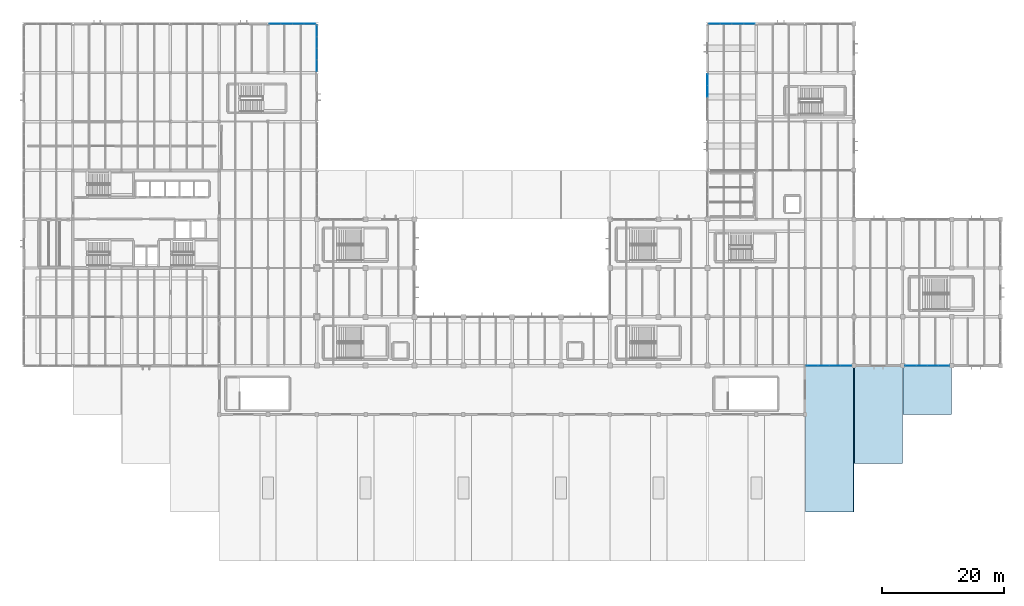
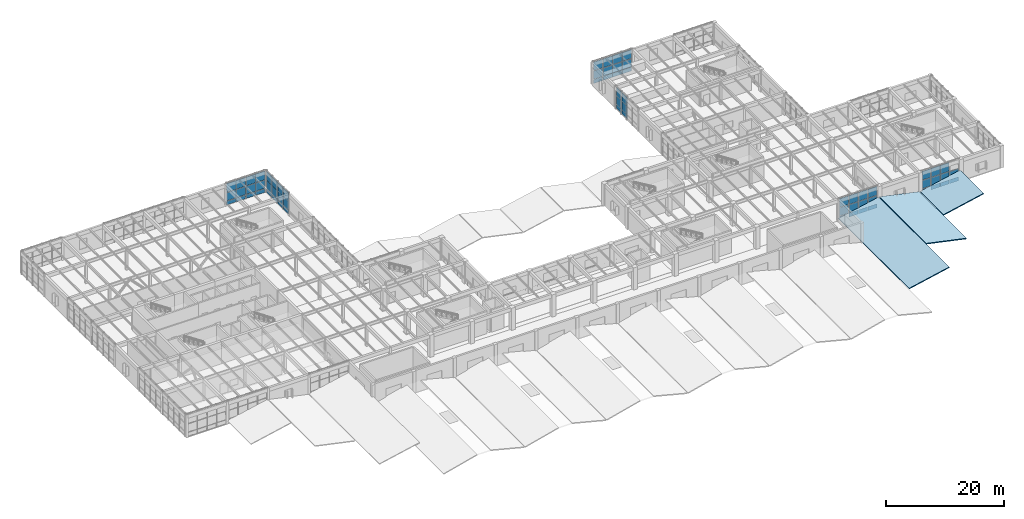
# One storey, part 37 of 60: 65 plates, 3 slabs, 6 elements without a shape of their own.
"""IFC4 building model written with IfcOpenShell, lengths in metres."""

from ifc_helpers import new_model, si_unit, direction, frame, origin, origin_2d, place, context, subcontext, project, spatial, polyline, rectangle, outline, extrude, material, layer, layer_set, type_object, element, aggregate, save


model = new_model("IFC4")

# Units and contexts
model_context = context("Model", 3, precision=1e-05, world=origin(), true_north=direction((0.0, 1.0)))
body_context = subcontext(model_context, "Body", "Model", "MODEL_VIEW")
ifc_project = project(units=[si_unit("LENGTHUNIT", "METRE"), si_unit("AREAUNIT", "SQUARE_METRE"), si_unit("VOLUMEUNIT", "CUBIC_METRE"), si_unit("PLANEANGLEUNIT", "RADIAN"), si_unit("MASSUNIT", "GRAM", prefix="KILO")], contexts=[model_context])

# Site, building, storey
site_placement = place(None, origin())
site = spatial("IfcSite", under=ifc_project, at=site_placement, CompositionType="ELEMENT")
building_placement = place(site_placement, origin())
building = spatial("IfcBuilding", under=site, at=building_placement, Name="Varnela Railside Interchange", CompositionType="ELEMENT")
storey_placement = place(building_placement, frame((0.0, 0.0, 6.300048828125)))
storey = spatial("IfcBuildingStorey", under=building, at=storey_placement, Name="L01", CompositionType="ELEMENT", Elevation=6.300048828125)

# Curtain wall, plates
ifc_material_1 = material(Name="Aluminium 6063-T6", Category="aluminium")
ifc_layer_1 = layer(ifc_material_1, 0.035888671875)
ifc_layer_set_1 = layer_set([ifc_layer_1], Name="Aluminium 6063-T6")
curtain_wall_type_1 = type_object("IfcCurtainWallType", Name="Operations Wing Facade Curtain Wall CW-03", PredefinedType="USERDEFINED", material=ifc_layer_set_1)
curtain_wall_1_placement = place(storey_placement, origin())
curtain_wall_1 = element("IfcCurtainWall", 1, at=curtain_wall_1_placement, inside=storey, type_object=curtain_wall_type_1, Name="Curtain Wall CW-03 (L01) (CW-022)", ObjectType="CURTAIN WALL", PredefinedType="USERDEFINED")
ifc_material_2 = material(Name="Glass laminated double", Category="glass")
ifc_layer_2 = layer(ifc_material_2, 0.0400390625)
ifc_layer_set_2 = layer_set([ifc_layer_2], Name="Glass laminated double")
plate_type_1 = type_object("IfcPlateType", Name="Acoustic Laminated Vision GL-03", PredefinedType="CURTAIN_PANEL", material=ifc_layer_set_2)
plate_1_placement = place(storey_placement, frame((45.164306640625, 94.0, 0.059814453125), z_axis=(0.0, 0.0, 1.0), x_axis=(1.0, 0.0, 0.0)))
plate_1 = element("IfcPlate", 2, at=plate_1_placement, type_object=plate_type_1, Name="CW-03 panel 1.1", PredefinedType="CURTAIN_PANEL", context=body_context, shape_type="SweptSolid", body=[
    extrude(rectangle(XDim=1.810546875, YDim=0.0400390625, at=origin_2d()), origin(), (0.0, 0.0, 1.0), 0.81005859375),
])
plate_2_placement = place(storey_placement, frame((45.164306640625, 94.0, 0.929931640625), z_axis=(0.0, 0.0, 1.0), x_axis=(1.0, 0.0, 0.0)))
plate_2 = element("IfcPlate", 3, at=plate_2_placement, type_object=plate_type_1, Name="CW-03 panel 1.2", PredefinedType="CURTAIN_PANEL", context=body_context, shape_type="SweptSolid", body=[
    extrude(rectangle(XDim=1.810546875, YDim=0.0400390625, at=origin_2d()), origin(), (0.0, 0.0, 1.0), 1.7080078125),
])
plate_3_placement = place(storey_placement, frame((45.164306640625, 94.0, 2.69775390625), z_axis=(0.0, 0.0, 1.0), x_axis=(1.0, 0.0, 0.0)))
plate_3 = element("IfcPlate", 4, at=plate_3_placement, type_object=plate_type_1, Name="CW-03 panel 1.3", PredefinedType="CURTAIN_PANEL", context=body_context, shape_type="SweptSolid", body=[
    extrude(rectangle(XDim=1.810546875, YDim=0.0400390625, at=origin_2d()), origin(), (0.0, 0.0, 1.0), 1.842041015625),
])
plate_4_placement = place(storey_placement, frame((47.0498046875, 94.0, 0.059814453125), z_axis=(0.0, 0.0, 1.0), x_axis=(1.0, 0.0, 0.0)))
plate_4 = element("IfcPlate", 5, at=plate_4_placement, type_object=plate_type_1, Name="CW-03 panel 2.1", PredefinedType="CURTAIN_PANEL", context=body_context, shape_type="SweptSolid", body=[
    extrude(rectangle(XDim=1.840576171875, YDim=0.0400390625, at=origin_2d()), origin(), (0.0, 0.0, 1.0), 0.81005859375),
])
plate_5_placement = place(storey_placement, frame((47.0498046875, 94.0, 0.929931640625), z_axis=(0.0, 0.0, 1.0), x_axis=(1.0, 0.0, 0.0)))
plate_5 = element("IfcPlate", 6, at=plate_5_placement, type_object=plate_type_1, Name="CW-03 panel 2.2", PredefinedType="CURTAIN_PANEL", context=body_context, shape_type="SweptSolid", body=[
    extrude(rectangle(XDim=1.840576171875, YDim=0.0400390625, at=origin_2d()), origin(), (0.0, 0.0, 1.0), 1.7080078125),
])
plate_6_placement = place(storey_placement, frame((47.0498046875, 94.0, 2.69775390625), z_axis=(0.0, 0.0, 1.0), x_axis=(1.0, 0.0, 0.0)))
plate_6 = element("IfcPlate", 7, at=plate_6_placement, type_object=plate_type_1, Name="CW-03 panel 2.3", PredefinedType="CURTAIN_PANEL", context=body_context, shape_type="SweptSolid", body=[
    extrude(rectangle(XDim=1.840576171875, YDim=0.0400390625, at=origin_2d()), origin(), (0.0, 0.0, 1.0), 1.842041015625),
])
plate_7_placement = place(storey_placement, frame((48.9501953125, 94.0, 0.059814453125), z_axis=(0.0, 0.0, 1.0), x_axis=(1.0, 0.0, 0.0)))
plate_7 = element("IfcPlate", 8, at=plate_7_placement, type_object=plate_type_1, Name="CW-03 panel 3.1", PredefinedType="CURTAIN_PANEL", context=body_context, shape_type="SweptSolid", body=[
    extrude(rectangle(XDim=1.840576171875, YDim=0.0400390625, at=origin_2d()), origin(), (0.0, 0.0, 1.0), 0.81005859375),
])
plate_8_placement = place(storey_placement, frame((48.9501953125, 94.0, 0.929931640625), z_axis=(0.0, 0.0, 1.0), x_axis=(1.0, 0.0, 0.0)))
plate_8 = element("IfcPlate", 9, at=plate_8_placement, type_object=plate_type_1, Name="CW-03 panel 3.2", PredefinedType="CURTAIN_PANEL", context=body_context, shape_type="SweptSolid", body=[
    extrude(rectangle(XDim=1.840576171875, YDim=0.0400390625, at=origin_2d()), origin(), (0.0, 0.0, 1.0), 1.7080078125),
])
plate_9_placement = place(storey_placement, frame((48.9501953125, 94.0, 2.69775390625), z_axis=(0.0, 0.0, 1.0), x_axis=(1.0, 0.0, 0.0)))
plate_9 = element("IfcPlate", 10, at=plate_9_placement, type_object=plate_type_1, Name="CW-03 panel 3.3", PredefinedType="CURTAIN_PANEL", context=body_context, shape_type="SweptSolid", body=[
    extrude(rectangle(XDim=1.840576171875, YDim=0.0400390625, at=origin_2d()), origin(), (0.0, 0.0, 1.0), 1.842041015625),
])
plate_10_placement = place(storey_placement, frame((50.835693359375, 94.0, 0.059814453125), z_axis=(0.0, 0.0, 1.0), x_axis=(1.0, 0.0, 0.0)))
plate_10 = element("IfcPlate", 11, at=plate_10_placement, type_object=plate_type_1, Name="CW-03 panel 4.1", PredefinedType="CURTAIN_PANEL", context=body_context, shape_type="SweptSolid", body=[
    extrude(rectangle(XDim=1.810546875, YDim=0.0400390625, at=origin_2d()), origin(), (0.0, 0.0, 1.0), 0.81005859375),
])
plate_11_placement = place(storey_placement, frame((50.835693359375, 94.0, 0.929931640625), z_axis=(0.0, 0.0, 1.0), x_axis=(1.0, 0.0, 0.0)))
plate_11 = element("IfcPlate", 12, at=plate_11_placement, type_object=plate_type_1, Name="CW-03 panel 4.2", PredefinedType="CURTAIN_PANEL", context=body_context, shape_type="SweptSolid", body=[
    extrude(rectangle(XDim=1.810546875, YDim=0.0400390625, at=origin_2d()), origin(), (0.0, 0.0, 1.0), 1.7080078125),
])
plate_12_placement = place(storey_placement, frame((50.835693359375, 94.0, 2.69775390625), z_axis=(0.0, 0.0, 1.0), x_axis=(1.0, 0.0, 0.0)))
plate_12 = element("IfcPlate", 13, at=plate_12_placement, type_object=plate_type_1, Name="CW-03 panel 4.3", PredefinedType="CURTAIN_PANEL", context=body_context, shape_type="SweptSolid", body=[
    extrude(rectangle(XDim=1.810546875, YDim=0.0400390625, at=origin_2d()), origin(), (0.0, 0.0, 1.0), 1.842041015625),
])
aggregate(curtain_wall_1, [plate_1, plate_2, plate_3, plate_4, plate_5, plate_6, plate_7, plate_8, plate_9, plate_10, plate_11, plate_12])

curtain_wall_2_placement = place(storey_placement, origin())
curtain_wall_2 = element("IfcCurtainWall", 14, at=curtain_wall_2_placement, inside=storey, type_object=curtain_wall_type_1, Name="Curtain Wall CW-03 (L01) (CW-023)", ObjectType="CURTAIN WALL", PredefinedType="USERDEFINED")
plate_13_placement = place(storey_placement, frame((52.0, 92.83984375, 0.059814453125), z_axis=(0.0, 0.0, 1.0), x_axis=(0.0, -1.0, 0.0)))
plate_13 = element("IfcPlate", 15, at=plate_13_placement, type_object=plate_type_1, Name="CW-03 panel 1.1", PredefinedType="CURTAIN_PANEL", context=body_context, shape_type="SweptSolid", body=[
    extrude(rectangle(XDim=1.813232421875, YDim=0.0400390625, at=origin_2d()), origin(), (0.0, 0.0, 1.0), 0.81005859375),
])
plate_14_placement = place(storey_placement, frame((52.0, 92.83984375, 0.929931640625), z_axis=(0.0, 0.0, 1.0), x_axis=(0.0, -1.0, 0.0)))
plate_14 = element("IfcPlate", 16, at=plate_14_placement, type_object=plate_type_1, Name="CW-03 panel 1.2", PredefinedType="CURTAIN_PANEL", context=body_context, shape_type="SweptSolid", body=[
    extrude(rectangle(XDim=1.813232421875, YDim=0.0400390625, at=origin_2d()), origin(), (0.0, 0.0, 1.0), 1.7080078125),
])
plate_15_placement = place(storey_placement, frame((52.0, 92.83984375, 2.69775390625), z_axis=(0.0, 0.0, 1.0), x_axis=(0.0, -1.0, 0.0)))
plate_15 = element("IfcPlate", 17, at=plate_15_placement, type_object=plate_type_1, Name="CW-03 panel 1.3", PredefinedType="CURTAIN_PANEL", context=body_context, shape_type="SweptSolid", body=[
    extrude(rectangle(XDim=1.813232421875, YDim=0.0400390625, at=origin_2d()), origin(), (0.0, 0.0, 1.0), 1.842041015625),
])
plate_16_placement = place(storey_placement, frame((52.0, 90.95166015625, 0.059814453125), z_axis=(0.0, 0.0, 1.0), x_axis=(0.0, -1.0, 0.0)))
plate_16 = element("IfcPlate", 18, at=plate_16_placement, type_object=plate_type_1, Name="CW-03 panel 2.1", PredefinedType="CURTAIN_PANEL", context=body_context, shape_type="SweptSolid", body=[
    extrude(rectangle(XDim=1.84326171875, YDim=0.0400390625, at=origin_2d()), origin(), (0.0, 0.0, 1.0), 0.81005859375),
])
plate_17_placement = place(storey_placement, frame((52.0, 90.95166015625, 0.929931640625), z_axis=(0.0, 0.0, 1.0), x_axis=(0.0, -1.0, 0.0)))
plate_17 = element("IfcPlate", 19, at=plate_17_placement, type_object=plate_type_1, Name="CW-03 panel 2.2", PredefinedType="CURTAIN_PANEL", context=body_context, shape_type="SweptSolid", body=[
    extrude(rectangle(XDim=1.84326171875, YDim=0.0400390625, at=origin_2d()), origin(), (0.0, 0.0, 1.0), 1.7080078125),
])
plate_18_placement = place(storey_placement, frame((52.0, 90.95166015625, 2.69775390625), z_axis=(0.0, 0.0, 1.0), x_axis=(0.0, -1.0, 0.0)))
plate_18 = element("IfcPlate", 20, at=plate_18_placement, type_object=plate_type_1, Name="CW-03 panel 2.3", PredefinedType="CURTAIN_PANEL", context=body_context, shape_type="SweptSolid", body=[
    extrude(rectangle(XDim=1.84326171875, YDim=0.0400390625, at=origin_2d()), origin(), (0.0, 0.0, 1.0), 1.842041015625),
])
plate_19_placement = place(storey_placement, frame((52.0, 89.04833984375, 0.059814453125), z_axis=(0.0, 0.0, 1.0), x_axis=(0.0, -1.0, 0.0)))
plate_19 = element("IfcPlate", 21, at=plate_19_placement, type_object=plate_type_1, Name="CW-03 panel 3.1", PredefinedType="CURTAIN_PANEL", context=body_context, shape_type="SweptSolid", body=[
    extrude(rectangle(XDim=1.84326171875, YDim=0.0400390625, at=origin_2d()), origin(), (0.0, 0.0, 1.0), 0.81005859375),
])
plate_20_placement = place(storey_placement, frame((52.0, 89.04833984375, 0.929931640625), z_axis=(0.0, 0.0, 1.0), x_axis=(0.0, -1.0, 0.0)))
plate_20 = element("IfcPlate", 22, at=plate_20_placement, type_object=plate_type_1, Name="CW-03 panel 3.2", PredefinedType="CURTAIN_PANEL", context=body_context, shape_type="SweptSolid", body=[
    extrude(rectangle(XDim=1.84326171875, YDim=0.0400390625, at=origin_2d()), origin(), (0.0, 0.0, 1.0), 1.7080078125),
])
plate_21_placement = place(storey_placement, frame((52.0, 89.04833984375, 2.69775390625), z_axis=(0.0, 0.0, 1.0), x_axis=(0.0, -1.0, 0.0)))
plate_21 = element("IfcPlate", 23, at=plate_21_placement, type_object=plate_type_1, Name="CW-03 panel 3.3", PredefinedType="CURTAIN_PANEL", context=body_context, shape_type="SweptSolid", body=[
    extrude(rectangle(XDim=1.84326171875, YDim=0.0400390625, at=origin_2d()), origin(), (0.0, 0.0, 1.0), 1.842041015625),
])
plate_22_placement = place(storey_placement, frame((52.0, 87.16015625, 0.059814453125), z_axis=(0.0, 0.0, 1.0), x_axis=(0.0, -1.0, 0.0)))
plate_22 = element("IfcPlate", 24, at=plate_22_placement, type_object=plate_type_1, Name="CW-03 panel 4.1", PredefinedType="CURTAIN_PANEL", context=body_context, shape_type="SweptSolid", body=[
    extrude(rectangle(XDim=1.813232421875, YDim=0.0400390625, at=origin_2d()), origin(), (0.0, 0.0, 1.0), 0.81005859375),
])
plate_23_placement = place(storey_placement, frame((52.0, 87.16015625, 0.929931640625), z_axis=(0.0, 0.0, 1.0), x_axis=(0.0, -1.0, 0.0)))
plate_23 = element("IfcPlate", 25, at=plate_23_placement, type_object=plate_type_1, Name="CW-03 panel 4.2", PredefinedType="CURTAIN_PANEL", context=body_context, shape_type="SweptSolid", body=[
    extrude(rectangle(XDim=1.813232421875, YDim=0.0400390625, at=origin_2d()), origin(), (0.0, 0.0, 1.0), 1.7080078125),
])
plate_24_placement = place(storey_placement, frame((52.0, 87.16015625, 2.69775390625), z_axis=(0.0, 0.0, 1.0), x_axis=(0.0, -1.0, 0.0)))
plate_24 = element("IfcPlate", 26, at=plate_24_placement, type_object=plate_type_1, Name="CW-03 panel 4.3", PredefinedType="CURTAIN_PANEL", context=body_context, shape_type="SweptSolid", body=[
    extrude(rectangle(XDim=1.813232421875, YDim=0.0400390625, at=origin_2d()), origin(), (0.0, 0.0, 1.0), 1.842041015625),
])
aggregate(curtain_wall_2, [plate_13, plate_14, plate_15, plate_16, plate_17, plate_18, plate_19, plate_20, plate_21, plate_22, plate_23, plate_24])

# Slabs
ifc_material_3 = material(Name="Concrete C40", Category="concrete")
ifc_layer_3 = layer(ifc_material_3, 0.18994140625)
ifc_layer_set_3 = layer_set([ifc_layer_3], Name="Concrete C40")
slab_type = type_object("IfcSlabType", Name="Folded-Plate Bus End Canopy Shell CS-02", PredefinedType="ROOF", material=ifc_layer_set_3)
slab_1_placement = place(storey_placement, frame((132.06005859375, 14.0, 0.514892578125), z_axis=(-0.209115246691, 0.0, 0.977891002925), x_axis=(0.977891002925, 0.0, 0.209115246691)))
element("IfcSlab", 27, at=slab_1_placement, inside=storey, type_object=slab_type, Name="Folded-Plate Bus End Canopy Shell CS-02 (L01) (SL-0092)", PredefinedType="ROOF", context=body_context, shape_type="SweptSolid", body=[
    extrude(outline(polyline([(0.0, 0.0), (8.058037949966707, 0.0), (8.058037949966707, 23.999999999999996), (0.0, 23.999999999999996), (0.0, 0.0)])), origin(), (0.0, 0.0, -1.0), 0.18994140625),
])
slab_2_placement = place(storey_placement, frame((140.06005859375, 22.0, 2.199951171875), z_axis=(0.209115246691, 0.0, 0.977891002925), x_axis=(0.977891002925, 0.0, -0.209115246691)))
element("IfcSlab", 28, at=slab_2_placement, inside=storey, type_object=slab_type, Name="Folded-Plate Bus End Canopy Shell CS-02 (L01) (SL-0093)", PredefinedType="ROOF", context=body_context, shape_type="SweptSolid", body=[
    extrude(outline(polyline([(0.0, 0.0), (8.058037949966707, 0.0), (8.058037949966707, 15.999999999999998), (0.0, 15.999999999999998), (0.0, 0.0)])), origin(), (0.0, 0.0, -1.0), 0.18994140625),
])
slab_3_placement = place(storey_placement, frame((148.06005859375, 30.0, 0.514892578125), z_axis=(-0.209115246691, 0.0, 0.977891002925), x_axis=(0.977891002925, 0.0, 0.209115246691)))
element("IfcSlab", 29, at=slab_3_placement, inside=storey, type_object=slab_type, Name="Folded-Plate Bus End Canopy Shell CS-02 (L01) (SL-0094)", PredefinedType="ROOF", context=body_context, shape_type="SweptSolid", body=[
    extrude(outline(polyline([(0.0, 0.0), (8.058037949966707, 0.0), (8.058037949966707, 7.999999999999999), (0.0, 7.999999999999999), (0.0, 0.0)])), origin(), (0.0, 0.0, -1.0), 0.18994140625),
])

# Curtain wall, plates
ifc_layer_4 = layer(ifc_material_1, 0.035888671875)
ifc_layer_set_4 = layer_set([ifc_layer_4], Name="Aluminium 6063-T6")
curtain_wall_type_2 = type_object("IfcCurtainWallType", Name="Study Pavilion Gallery Curtain Wall CW-02", PredefinedType="USERDEFINED", material=ifc_layer_set_4)
curtain_wall_3_placement = place(storey_placement, origin())
curtain_wall_3 = element("IfcCurtainWall", 30, at=curtain_wall_3_placement, inside=storey, type_object=curtain_wall_type_2, Name="Curtain Wall CW-02 (L01) (CW-030)", ObjectType="CURTAIN WALL", PredefinedType="USERDEFINED")
ifc_layer_5 = layer(ifc_material_2, 0.02001953125)
ifc_layer_set_5 = layer_set([ifc_layer_5], Name="Glass laminated double")
plate_type_2 = type_object("IfcPlateType", Name="Low-E Vision Glazing Panel GL-01", PredefinedType="CURTAIN_PANEL", material=ifc_layer_set_5)
plate_25_placement = place(storey_placement, frame((116.0, 82.95166015625, 0.059814453125), z_axis=(0.0, 0.0, 1.0), x_axis=(0.0, 1.0, 0.0)))
plate_25 = element("IfcPlate", 31, at=plate_25_placement, type_object=plate_type_2, Name="CW-02 panel 3.1", PredefinedType="CURTAIN_PANEL", context=body_context, shape_type="SweptSolid", body=[
    extrude(rectangle(XDim=1.84326171875, YDim=0.02001953125, at=origin_2d()), origin(), (0.0, 0.0, 1.0), 0.81005859375),
])
plate_26_placement = place(storey_placement, frame((116.0, 82.95166015625, 0.929931640625), z_axis=(0.0, 0.0, 1.0), x_axis=(0.0, 1.0, 0.0)))
plate_26 = element("IfcPlate", 32, at=plate_26_placement, type_object=plate_type_2, Name="CW-02 panel 3.2", PredefinedType="CURTAIN_PANEL", context=body_context, shape_type="SweptSolid", body=[
    extrude(rectangle(XDim=1.84326171875, YDim=0.02001953125, at=origin_2d()), origin(), (0.0, 0.0, 1.0), 1.7080078125),
])
plate_27_placement = place(storey_placement, frame((116.0, 82.95166015625, 2.69775390625), z_axis=(0.0, 0.0, 1.0), x_axis=(0.0, 1.0, 0.0)))
plate_27 = element("IfcPlate", 33, at=plate_27_placement, type_object=plate_type_2, Name="CW-02 panel 3.3", PredefinedType="CURTAIN_PANEL", context=body_context, shape_type="SweptSolid", body=[
    extrude(rectangle(XDim=1.84326171875, YDim=0.02001953125, at=origin_2d()), origin(), (0.0, 0.0, 1.0), 1.842041015625),
])
plate_28_placement = place(storey_placement, frame((116.0, 84.83984375, 0.059814453125), z_axis=(0.0, 0.0, 1.0), x_axis=(0.0, 1.0, 0.0)))
plate_28 = element("IfcPlate", 34, at=plate_28_placement, type_object=plate_type_2, Name="CW-02 panel 4.1", PredefinedType="CURTAIN_PANEL", context=body_context, shape_type="SweptSolid", body=[
    extrude(rectangle(XDim=1.813232421875, YDim=0.02001953125, at=origin_2d()), origin(), (0.0, 0.0, 1.0), 0.81005859375),
])
plate_29_placement = place(storey_placement, frame((116.0, 84.83984375, 0.929931640625), z_axis=(0.0, 0.0, 1.0), x_axis=(0.0, 1.0, 0.0)))
plate_29 = element("IfcPlate", 35, at=plate_29_placement, type_object=plate_type_2, Name="CW-02 panel 4.2", PredefinedType="CURTAIN_PANEL", context=body_context, shape_type="SweptSolid", body=[
    extrude(rectangle(XDim=1.813232421875, YDim=0.02001953125, at=origin_2d()), origin(), (0.0, 0.0, 1.0), 1.7080078125),
])
plate_30_placement = place(storey_placement, frame((116.0, 84.83984375, 2.69775390625), z_axis=(0.0, 0.0, 1.0), x_axis=(0.0, 1.0, 0.0)))
plate_30 = element("IfcPlate", 36, at=plate_30_placement, type_object=plate_type_2, Name="CW-02 panel 4.3", PredefinedType="CURTAIN_PANEL", context=body_context, shape_type="SweptSolid", body=[
    extrude(rectangle(XDim=1.813232421875, YDim=0.02001953125, at=origin_2d()), origin(), (0.0, 0.0, 1.0), 1.842041015625),
])
aggregate(curtain_wall_3, [plate_25, plate_26, plate_27, plate_28, plate_29, plate_30])

curtain_wall_4_placement = place(storey_placement, origin())
curtain_wall_4 = element("IfcCurtainWall", 37, at=curtain_wall_4_placement, inside=storey, type_object=curtain_wall_type_2, Name="Curtain Wall CW-02 (L01) (CW-031)", ObjectType="CURTAIN WALL", PredefinedType="USERDEFINED")
plate_31_placement = place(storey_placement, frame((117.164306640625, 94.0, 0.059814453125), z_axis=(0.0, 0.0, 1.0), x_axis=(1.0, 0.0, 0.0)))
plate_31 = element("IfcPlate", 38, at=plate_31_placement, type_object=plate_type_2, Name="CW-02 panel 1.1", PredefinedType="CURTAIN_PANEL", context=body_context, shape_type="SweptSolid", body=[
    extrude(rectangle(XDim=1.810546875, YDim=0.02001953125, at=origin_2d()), origin(), (0.0, 0.0, 1.0), 0.81005859375),
])
plate_32_placement = place(storey_placement, frame((117.164306640625, 94.0, 0.929931640625), z_axis=(0.0, 0.0, 1.0), x_axis=(1.0, 0.0, 0.0)))
plate_32 = element("IfcPlate", 39, at=plate_32_placement, type_object=plate_type_2, Name="CW-02 panel 1.2", PredefinedType="CURTAIN_PANEL", context=body_context, shape_type="SweptSolid", body=[
    extrude(rectangle(XDim=1.810546875, YDim=0.02001953125, at=origin_2d()), origin(), (0.0, 0.0, 1.0), 1.7080078125),
])
plate_33_placement = place(storey_placement, frame((117.164306640625, 94.0, 2.69775390625), z_axis=(0.0, 0.0, 1.0), x_axis=(1.0, 0.0, 0.0)))
plate_33 = element("IfcPlate", 40, at=plate_33_placement, type_object=plate_type_2, Name="CW-02 panel 1.3", PredefinedType="CURTAIN_PANEL", context=body_context, shape_type="SweptSolid", body=[
    extrude(rectangle(XDim=1.810546875, YDim=0.02001953125, at=origin_2d()), origin(), (0.0, 0.0, 1.0), 1.842041015625),
])
plate_34_placement = place(storey_placement, frame((119.0498046875, 94.0, 0.059814453125), z_axis=(0.0, 0.0, 1.0), x_axis=(1.0, 0.0, 0.0)))
plate_34 = element("IfcPlate", 41, at=plate_34_placement, type_object=plate_type_2, Name="CW-02 panel 2.1", PredefinedType="CURTAIN_PANEL", context=body_context, shape_type="SweptSolid", body=[
    extrude(rectangle(XDim=1.840576171875, YDim=0.02001953125, at=origin_2d()), origin(), (0.0, 0.0, 1.0), 0.81005859375),
])
plate_35_placement = place(storey_placement, frame((119.0498046875, 94.0, 0.929931640625), z_axis=(0.0, 0.0, 1.0), x_axis=(1.0, 0.0, 0.0)))
plate_35 = element("IfcPlate", 42, at=plate_35_placement, type_object=plate_type_2, Name="CW-02 panel 2.2", PredefinedType="CURTAIN_PANEL", context=body_context, shape_type="SweptSolid", body=[
    extrude(rectangle(XDim=1.840576171875, YDim=0.02001953125, at=origin_2d()), origin(), (0.0, 0.0, 1.0), 1.7080078125),
])
plate_36_placement = place(storey_placement, frame((119.0498046875, 94.0, 2.69775390625), z_axis=(0.0, 0.0, 1.0), x_axis=(1.0, 0.0, 0.0)))
plate_36 = element("IfcPlate", 43, at=plate_36_placement, type_object=plate_type_2, Name="CW-02 panel 2.3", PredefinedType="CURTAIN_PANEL", context=body_context, shape_type="SweptSolid", body=[
    extrude(rectangle(XDim=1.840576171875, YDim=0.02001953125, at=origin_2d()), origin(), (0.0, 0.0, 1.0), 1.842041015625),
])
plate_37_placement = place(storey_placement, frame((120.9501953125, 94.0, 0.059814453125), z_axis=(0.0, 0.0, 1.0), x_axis=(1.0, 0.0, 0.0)))
plate_37 = element("IfcPlate", 44, at=plate_37_placement, type_object=plate_type_2, Name="CW-02 panel 3.1", PredefinedType="CURTAIN_PANEL", context=body_context, shape_type="SweptSolid", body=[
    extrude(rectangle(XDim=1.840576171875, YDim=0.02001953125, at=origin_2d()), origin(), (0.0, 0.0, 1.0), 0.81005859375),
])
plate_38_placement = place(storey_placement, frame((120.9501953125, 94.0, 0.929931640625), z_axis=(0.0, 0.0, 1.0), x_axis=(1.0, 0.0, 0.0)))
plate_38 = element("IfcPlate", 45, at=plate_38_placement, type_object=plate_type_2, Name="CW-02 panel 3.2", PredefinedType="CURTAIN_PANEL", context=body_context, shape_type="SweptSolid", body=[
    extrude(rectangle(XDim=1.840576171875, YDim=0.02001953125, at=origin_2d()), origin(), (0.0, 0.0, 1.0), 1.7080078125),
])
plate_39_placement = place(storey_placement, frame((120.9501953125, 94.0, 2.69775390625), z_axis=(0.0, 0.0, 1.0), x_axis=(1.0, 0.0, 0.0)))
plate_39 = element("IfcPlate", 46, at=plate_39_placement, type_object=plate_type_2, Name="CW-02 panel 3.3", PredefinedType="CURTAIN_PANEL", context=body_context, shape_type="SweptSolid", body=[
    extrude(rectangle(XDim=1.840576171875, YDim=0.02001953125, at=origin_2d()), origin(), (0.0, 0.0, 1.0), 1.842041015625),
])
plate_40_placement = place(storey_placement, frame((122.835693359375, 94.0, 0.059814453125), z_axis=(0.0, 0.0, 1.0), x_axis=(1.0, 0.0, 0.0)))
plate_40 = element("IfcPlate", 47, at=plate_40_placement, type_object=plate_type_2, Name="CW-02 panel 4.1", PredefinedType="CURTAIN_PANEL", context=body_context, shape_type="SweptSolid", body=[
    extrude(rectangle(XDim=1.810546875, YDim=0.02001953125, at=origin_2d()), origin(), (0.0, 0.0, 1.0), 0.81005859375),
])
plate_41_placement = place(storey_placement, frame((122.835693359375, 94.0, 0.929931640625), z_axis=(0.0, 0.0, 1.0), x_axis=(1.0, 0.0, 0.0)))
plate_41 = element("IfcPlate", 48, at=plate_41_placement, type_object=plate_type_2, Name="CW-02 panel 4.2", PredefinedType="CURTAIN_PANEL", context=body_context, shape_type="SweptSolid", body=[
    extrude(rectangle(XDim=1.810546875, YDim=0.02001953125, at=origin_2d()), origin(), (0.0, 0.0, 1.0), 1.7080078125),
])
plate_42_placement = place(storey_placement, frame((122.835693359375, 94.0, 2.69775390625), z_axis=(0.0, 0.0, 1.0), x_axis=(1.0, 0.0, 0.0)))
plate_42 = element("IfcPlate", 49, at=plate_42_placement, type_object=plate_type_2, Name="CW-02 panel 4.3", PredefinedType="CURTAIN_PANEL", context=body_context, shape_type="SweptSolid", body=[
    extrude(rectangle(XDim=1.810546875, YDim=0.02001953125, at=origin_2d()), origin(), (0.0, 0.0, 1.0), 1.842041015625),
])
aggregate(curtain_wall_4, [plate_31, plate_32, plate_33, plate_34, plate_35, plate_36, plate_37, plate_38, plate_39, plate_40, plate_41, plate_42])

curtain_wall_5_placement = place(storey_placement, origin())
curtain_wall_5 = element("IfcCurtainWall", 50, at=curtain_wall_5_placement, inside=storey, type_object=curtain_wall_type_2, Name="Curtain Wall CW-02 (L01) (CW-039)", ObjectType="CURTAIN WALL", PredefinedType="USERDEFINED")
plate_43_placement = place(storey_placement, frame((154.722412109375, 38.0, 0.059814453125), z_axis=(0.0, 0.0, 1.0), x_axis=(-1.0, 0.0, 0.0)))
plate_43 = element("IfcPlate", 51, at=plate_43_placement, type_object=plate_type_2, Name="CW-02 panel 1.1", PredefinedType="CURTAIN_PANEL", context=body_context, shape_type="SweptSolid", body=[
    extrude(rectangle(XDim=1.735107421875, YDim=0.02001953125, at=origin_2d()), origin(), (0.0, 0.0, 1.0), 0.81005859375),
])
plate_44_placement = place(storey_placement, frame((154.722412109375, 38.0, 0.929931640625), z_axis=(0.0, 0.0, 1.0), x_axis=(-1.0, 0.0, 0.0)))
plate_44 = element("IfcPlate", 52, at=plate_44_placement, type_object=plate_type_2, Name="CW-02 panel 1.2", PredefinedType="CURTAIN_PANEL", context=body_context, shape_type="SweptSolid", body=[
    extrude(rectangle(XDim=1.735107421875, YDim=0.02001953125, at=origin_2d()), origin(), (0.0, 0.0, 1.0), 1.7080078125),
])
plate_45_placement = place(storey_placement, frame((152.91259765625, 38.0, 0.059814453125), z_axis=(0.0, 0.0, 1.0), x_axis=(-1.0, 0.0, 0.0)))
plate_45 = element("IfcPlate", 53, at=plate_45_placement, type_object=plate_type_2, Name="CW-02 panel 2.1", PredefinedType="CURTAIN_PANEL", context=body_context, shape_type="SweptSolid", body=[
    extrude(rectangle(XDim=1.764892578125, YDim=0.02001953125, at=origin_2d()), origin(), (0.0, 0.0, 1.0), 0.81005859375),
])
plate_46_placement = place(storey_placement, frame((152.91259765625, 38.0, 0.929931640625), z_axis=(0.0, 0.0, 1.0), x_axis=(-1.0, 0.0, 0.0)))
plate_46 = element("IfcPlate", 54, at=plate_46_placement, type_object=plate_type_2, Name="CW-02 panel 2.2", PredefinedType="CURTAIN_PANEL", context=body_context, shape_type="SweptSolid", body=[
    extrude(rectangle(XDim=1.764892578125, YDim=0.02001953125, at=origin_2d()), origin(), (0.0, 0.0, 1.0), 1.7080078125),
])
plate_47_placement = place(storey_placement, frame((152.91259765625, 38.0, 2.69775390625), z_axis=(0.0, 0.0, 1.0), x_axis=(-1.0, 0.0, 0.0)))
plate_47 = element("IfcPlate", 55, at=plate_47_placement, type_object=plate_type_2, Name="CW-02 panel 2.3", PredefinedType="CURTAIN_PANEL", context=body_context, shape_type="SweptSolid", body=[
    extrude(rectangle(XDim=1.764892578125, YDim=0.02001953125, at=origin_2d()), origin(), (0.0, 0.0, 1.0), 1.842041015625),
])
plate_48_placement = place(storey_placement, frame((151.08740234375, 38.0, 0.059814453125), z_axis=(0.0, 0.0, 1.0), x_axis=(-1.0, 0.0, 0.0)))
plate_48 = element("IfcPlate", 56, at=plate_48_placement, type_object=plate_type_2, Name="CW-02 panel 3.1", PredefinedType="CURTAIN_PANEL", context=body_context, shape_type="SweptSolid", body=[
    extrude(rectangle(XDim=1.764892578125, YDim=0.02001953125, at=origin_2d()), origin(), (0.0, 0.0, 1.0), 0.81005859375),
])
plate_49_placement = place(storey_placement, frame((151.08740234375, 38.0, 0.929931640625), z_axis=(0.0, 0.0, 1.0), x_axis=(-1.0, 0.0, 0.0)))
plate_49 = element("IfcPlate", 57, at=plate_49_placement, type_object=plate_type_2, Name="CW-02 panel 3.2", PredefinedType="CURTAIN_PANEL", context=body_context, shape_type="SweptSolid", body=[
    extrude(rectangle(XDim=1.764892578125, YDim=0.02001953125, at=origin_2d()), origin(), (0.0, 0.0, 1.0), 1.7080078125),
])
plate_50_placement = place(storey_placement, frame((151.08740234375, 38.0, 2.69775390625), z_axis=(0.0, 0.0, 1.0), x_axis=(-1.0, 0.0, 0.0)))
plate_50 = element("IfcPlate", 58, at=plate_50_placement, type_object=plate_type_2, Name="CW-02 panel 3.3", PredefinedType="CURTAIN_PANEL", context=body_context, shape_type="SweptSolid", body=[
    extrude(rectangle(XDim=1.764892578125, YDim=0.02001953125, at=origin_2d()), origin(), (0.0, 0.0, 1.0), 1.842041015625),
])
plate_51_placement = place(storey_placement, frame((149.277587890625, 38.0, 0.059814453125), z_axis=(0.0, 0.0, 1.0), x_axis=(-1.0, 0.0, 0.0)))
plate_51 = element("IfcPlate", 59, at=plate_51_placement, type_object=plate_type_2, Name="CW-02 panel 4.1", PredefinedType="CURTAIN_PANEL", context=body_context, shape_type="SweptSolid", body=[
    extrude(rectangle(XDim=1.735107421875, YDim=0.02001953125, at=origin_2d()), origin(), (0.0, 0.0, 1.0), 0.81005859375),
])
plate_52_placement = place(storey_placement, frame((149.277587890625, 38.0, 0.929931640625), z_axis=(0.0, 0.0, 1.0), x_axis=(-1.0, 0.0, 0.0)))
plate_52 = element("IfcPlate", 60, at=plate_52_placement, type_object=plate_type_2, Name="CW-02 panel 4.2", PredefinedType="CURTAIN_PANEL", context=body_context, shape_type="SweptSolid", body=[
    extrude(rectangle(XDim=1.735107421875, YDim=0.02001953125, at=origin_2d()), origin(), (0.0, 0.0, 1.0), 1.7080078125),
])
plate_53_placement = place(storey_placement, frame((149.277587890625, 38.0, 2.69775390625), z_axis=(0.0, 0.0, 1.0), x_axis=(-1.0, 0.0, 0.0)))
plate_53 = element("IfcPlate", 61, at=plate_53_placement, type_object=plate_type_2, Name="CW-02 panel 4.3", PredefinedType="CURTAIN_PANEL", context=body_context, shape_type="SweptSolid", body=[
    extrude(rectangle(XDim=1.735107421875, YDim=0.02001953125, at=origin_2d()), origin(), (0.0, 0.0, 1.0), 1.842041015625),
])
aggregate(curtain_wall_5, [plate_43, plate_44, plate_45, plate_46, plate_47, plate_48, plate_49, plate_50, plate_51, plate_52, plate_53])

curtain_wall_6_placement = place(storey_placement, origin())
curtain_wall_6 = element("IfcCurtainWall", 62, at=curtain_wall_6_placement, inside=storey, type_object=curtain_wall_type_2, Name="Curtain Wall CW-02 (L01) (CW-041)", ObjectType="CURTAIN WALL", PredefinedType="USERDEFINED")
plate_54_placement = place(storey_placement, frame((138.70361328125, 38.0, 0.059814453125), z_axis=(0.0, 0.0, 1.0), x_axis=(-1.0, 0.0, 0.0)))
plate_54 = element("IfcPlate", 63, at=plate_54_placement, type_object=plate_type_2, Name="CW-02 panel 1.1", PredefinedType="CURTAIN_PANEL", context=body_context, shape_type="SweptSolid", body=[
    extrude(rectangle(XDim=1.772705078125, YDim=0.02001953125, at=origin_2d()), origin(), (0.0, 0.0, 1.0), 0.81005859375),
])
plate_55_placement = place(storey_placement, frame((138.70361328125, 38.0, 0.929931640625), z_axis=(0.0, 0.0, 1.0), x_axis=(-1.0, 0.0, 0.0)))
plate_55 = element("IfcPlate", 64, at=plate_55_placement, type_object=plate_type_2, Name="CW-02 panel 1.2", PredefinedType="CURTAIN_PANEL", context=body_context, shape_type="SweptSolid", body=[
    extrude(rectangle(XDim=1.772705078125, YDim=0.02001953125, at=origin_2d()), origin(), (0.0, 0.0, 1.0), 1.7080078125),
])
plate_56_placement = place(storey_placement, frame((138.70361328125, 38.0, 2.69775390625), z_axis=(0.0, 0.0, 1.0), x_axis=(-1.0, 0.0, 0.0)))
plate_56 = element("IfcPlate", 65, at=plate_56_placement, type_object=plate_type_2, Name="CW-02 panel 1.3", PredefinedType="CURTAIN_PANEL", context=body_context, shape_type="SweptSolid", body=[
    extrude(rectangle(XDim=1.772705078125, YDim=0.02001953125, at=origin_2d()), origin(), (0.0, 0.0, 1.0), 1.842041015625),
])
plate_57_placement = place(storey_placement, frame((136.85595703125, 38.0, 0.059814453125), z_axis=(0.0, 0.0, 1.0), x_axis=(-1.0, 0.0, 0.0)))
plate_57 = element("IfcPlate", 66, at=plate_57_placement, type_object=plate_type_2, Name="CW-02 panel 2.1", PredefinedType="CURTAIN_PANEL", context=body_context, shape_type="SweptSolid", body=[
    extrude(rectangle(XDim=1.802734375, YDim=0.02001953125, at=origin_2d()), origin(), (0.0, 0.0, 1.0), 0.81005859375),
])
plate_58_placement = place(storey_placement, frame((136.85595703125, 38.0, 0.929931640625), z_axis=(0.0, 0.0, 1.0), x_axis=(-1.0, 0.0, 0.0)))
plate_58 = element("IfcPlate", 67, at=plate_58_placement, type_object=plate_type_2, Name="CW-02 panel 2.2", PredefinedType="CURTAIN_PANEL", context=body_context, shape_type="SweptSolid", body=[
    extrude(rectangle(XDim=1.802734375, YDim=0.02001953125, at=origin_2d()), origin(), (0.0, 0.0, 1.0), 1.7080078125),
])
plate_59_placement = place(storey_placement, frame((136.85595703125, 38.0, 2.69775390625), z_axis=(0.0, 0.0, 1.0), x_axis=(-1.0, 0.0, 0.0)))
plate_59 = element("IfcPlate", 68, at=plate_59_placement, type_object=plate_type_2, Name="CW-02 panel 2.3", PredefinedType="CURTAIN_PANEL", context=body_context, shape_type="SweptSolid", body=[
    extrude(rectangle(XDim=1.802734375, YDim=0.02001953125, at=origin_2d()), origin(), (0.0, 0.0, 1.0), 1.842041015625),
])
plate_60_placement = place(storey_placement, frame((134.9931640625, 38.0, 0.059814453125), z_axis=(0.0, 0.0, 1.0), x_axis=(-1.0, 0.0, 0.0)))
plate_60 = element("IfcPlate", 69, at=plate_60_placement, type_object=plate_type_2, Name="CW-02 panel 3.1", PredefinedType="CURTAIN_PANEL", context=body_context, shape_type="SweptSolid", body=[
    extrude(rectangle(XDim=1.802734375, YDim=0.02001953125, at=origin_2d()), origin(), (0.0, 0.0, 1.0), 0.81005859375),
])
plate_61_placement = place(storey_placement, frame((134.9931640625, 38.0, 0.929931640625), z_axis=(0.0, 0.0, 1.0), x_axis=(-1.0, 0.0, 0.0)))
plate_61 = element("IfcPlate", 70, at=plate_61_placement, type_object=plate_type_2, Name="CW-02 panel 3.2", PredefinedType="CURTAIN_PANEL", context=body_context, shape_type="SweptSolid", body=[
    extrude(rectangle(XDim=1.802734375, YDim=0.02001953125, at=origin_2d()), origin(), (0.0, 0.0, 1.0), 1.7080078125),
])
plate_62_placement = place(storey_placement, frame((134.9931640625, 38.0, 2.69775390625), z_axis=(0.0, 0.0, 1.0), x_axis=(-1.0, 0.0, 0.0)))
plate_62 = element("IfcPlate", 71, at=plate_62_placement, type_object=plate_type_2, Name="CW-02 panel 3.3", PredefinedType="CURTAIN_PANEL", context=body_context, shape_type="SweptSolid", body=[
    extrude(rectangle(XDim=1.802734375, YDim=0.02001953125, at=origin_2d()), origin(), (0.0, 0.0, 1.0), 1.842041015625),
])
plate_63_placement = place(storey_placement, frame((133.145263671875, 38.0, 0.059814453125), z_axis=(0.0, 0.0, 1.0), x_axis=(-1.0, 0.0, 0.0)))
plate_63 = element("IfcPlate", 72, at=plate_63_placement, type_object=plate_type_2, Name="CW-02 panel 4.1", PredefinedType="CURTAIN_PANEL", context=body_context, shape_type="SweptSolid", body=[
    extrude(rectangle(XDim=1.772705078125, YDim=0.02001953125, at=origin_2d()), origin(), (0.0, 0.0, 1.0), 0.81005859375),
])
plate_64_placement = place(storey_placement, frame((133.145263671875, 38.0, 0.929931640625), z_axis=(0.0, 0.0, 1.0), x_axis=(-1.0, 0.0, 0.0)))
plate_64 = element("IfcPlate", 73, at=plate_64_placement, type_object=plate_type_2, Name="CW-02 panel 4.2", PredefinedType="CURTAIN_PANEL", context=body_context, shape_type="SweptSolid", body=[
    extrude(rectangle(XDim=1.772705078125, YDim=0.02001953125, at=origin_2d()), origin(), (0.0, 0.0, 1.0), 1.7080078125),
])
plate_65_placement = place(storey_placement, frame((133.145263671875, 38.0, 2.69775390625), z_axis=(0.0, 0.0, 1.0), x_axis=(-1.0, 0.0, 0.0)))
plate_65 = element("IfcPlate", 74, at=plate_65_placement, type_object=plate_type_2, Name="CW-02 panel 4.3", PredefinedType="CURTAIN_PANEL", context=body_context, shape_type="SweptSolid", body=[
    extrude(rectangle(XDim=1.772705078125, YDim=0.02001953125, at=origin_2d()), origin(), (0.0, 0.0, 1.0), 1.842041015625),
])
aggregate(curtain_wall_6, [plate_54, plate_55, plate_56, plate_57, plate_58, plate_59, plate_60, plate_61, plate_62, plate_63, plate_64, plate_65])

save(model, "model.ifc")
